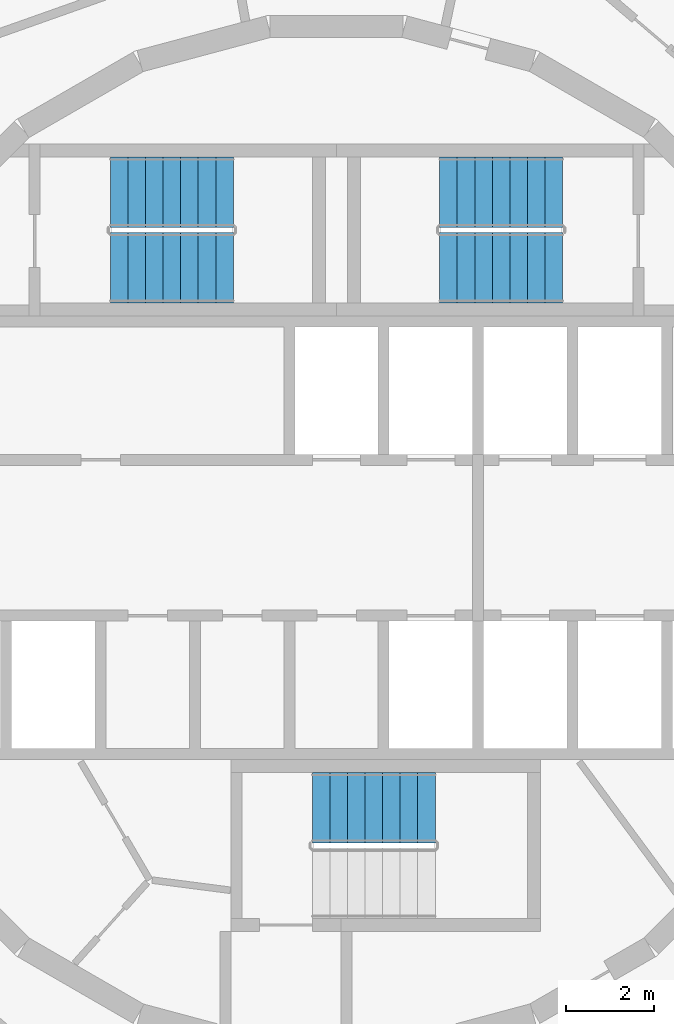
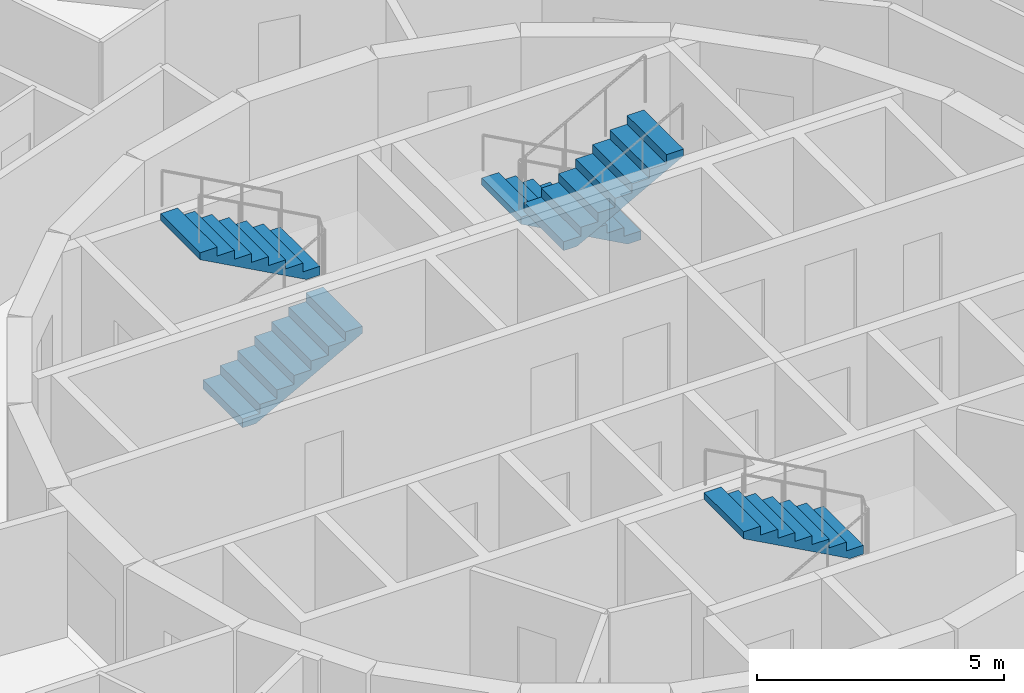
# One storey, part 16 of 17: 5 stair flights, 3 elements without a shape of their own.
"""IFC4 building model written with IfcOpenShell, lengths in metres."""

from ifc_helpers import new_model, si_unit, direction, frame, origin, place, context, subcontext, project, spatial, polyline, outline, extrude, material, type_object, element, aggregate, save


model = new_model("IFC4")

# Units and contexts
model_context = context("Model", 3, precision=1e-05, world=origin(), true_north=direction((0.0, 1.0)))
body_context = subcontext(model_context, "Body", "Model", "MODEL_VIEW")
ifc_project = project(units=[si_unit("LENGTHUNIT", "METRE"), si_unit("AREAUNIT", "SQUARE_METRE"), si_unit("VOLUMEUNIT", "CUBIC_METRE"), si_unit("PLANEANGLEUNIT", "RADIAN"), si_unit("MASSUNIT", "GRAM", prefix="KILO")], contexts=[model_context])

# Site, building, storey
site_placement = place(None, origin())
site = spatial("IfcSite", under=ifc_project, at=site_placement, CompositionType="ELEMENT")
building_placement = place(site_placement, origin())
building = spatial("IfcBuilding", under=site, at=building_placement, Name="Spindle Arch Residences", CompositionType="ELEMENT")
storey_placement = place(building_placement, frame((0.0, 0.0, 155.199951171875)))
storey = spatial("IfcBuildingStorey", under=building, at=storey_placement, Name="L38", CompositionType="ELEMENT", Elevation=155.199951171875)

# Stair, stair flights
ifc_material_1 = material(Name="Concrete C50/60", Category="concrete")
stair_type = type_object("IfcStairType", Name="Exit stair 16 risers", PredefinedType="HALF_TURN_STAIR", material=ifc_material_1)
stair_1_placement = place(storey_placement, origin())
stair_1 = element("IfcStair", 1, at=stair_1_placement, inside=storey, type_object=stair_type, Name="L38 Exit stair ST1", PredefinedType="HALF_TURN_STAIR")
ifc_material_2 = material(Name="Concrete C50/60", Category="concrete")
stair_flight_type = type_object("IfcStairFlightType", Name="Exit stair flight", PredefinedType="STRAIGHT", material=ifc_material_2)
stair_flight_1_placement = place(storey_placement, frame((5.14990234375, 7.8701171875, 0.0), z_axis=(0.0, 0.0, 1.0), x_axis=(-1.0, 0.0, 0.0)))
stair_flight_1 = element("IfcStairFlight", 2, at=stair_flight_1_placement, type_object=stair_flight_type, Name="ST1 flight 1", NumberOfRisers=8, NumberOfTreads=7, PredefinedType="STRAIGHT", RiserHeight=0.21875, TreadLength=0.4, context=body_context, shape_type="SweptSolid", body=[
    extrude(outline(polyline([(0.0, 0.0), (0.0, 0.21875), (0.39990234375, 0.21875), (0.39990234375, 0.4375), (0.800048828125, 0.4375), (0.800048828125, 0.65625), (1.199951171875, 0.65625), (1.199951171875, 0.875), (1.60009765625, 0.875), (1.60009765625, 1.09375), (2.0, 1.09375), (2.0, 1.3125), (2.39990234375, 1.3125), (2.39990234375, 1.53125), (2.800048828125, 1.53125), (2.800048828125, 1.75), (2.800048828125, 1.3603515625), (0.3125, 0.0), (0.0, 0.0)])), frame((0.0, 0.800048828125, 0.0), z_axis=(0.0, -1.0, 0.0), x_axis=(1.0, 0.0, 0.0)), (0.0, 0.0, 1.0), 1.60009765625),
])
stair_flight_2_placement = place(storey_placement, frame((2.35009765625, 6.14990234375, 1.75), z_axis=(0.0, 0.0, 1.0), x_axis=(1.0, 0.0, 0.0)))
stair_flight_2 = element("IfcStairFlight", 3, at=stair_flight_2_placement, type_object=stair_flight_type, Name="ST1 flight 2", NumberOfRisers=8, NumberOfTreads=7, PredefinedType="STRAIGHT", RiserHeight=0.21875, TreadLength=0.4, context=body_context, shape_type="SweptSolid", body=[
    extrude(outline(polyline([(0.0, 0.0), (0.0, 0.21875), (0.39990234375, 0.21875), (0.39990234375, 0.4375), (0.800048828125, 0.4375), (0.800048828125, 0.65625), (1.199951171875, 0.65625), (1.199951171875, 0.875), (1.60009765625, 0.875), (1.60009765625, 1.09375), (2.0, 1.09375), (2.0, 1.3125), (2.39990234375, 1.3125), (2.39990234375, 1.53125), (2.800048828125, 1.53125), (2.800048828125, 1.75), (2.800048828125, 1.3603515625), (0.3125, 0.0), (0.0, 0.0)])), frame((0.0, 0.800048828125, 0.0), z_axis=(0.0, -1.0, 0.0), x_axis=(1.0, 0.0, 0.0)), (0.0, 0.0, 1.0), 1.60009765625),
])
aggregate(stair_1, [stair_flight_1, stair_flight_2])

stair_2_placement = place(storey_placement, origin())
stair_2 = element("IfcStair", 4, at=stair_2_placement, inside=storey, type_object=stair_type, Name="L38 Exit stair ST2", PredefinedType="HALF_TURN_STAIR")
stair_flight_3_placement = place(storey_placement, frame((-5.14990234375, 6.14990234375, 0.0), z_axis=(0.0, 0.0, 1.0), x_axis=(1.0, 0.0, 0.0)))
stair_flight_3 = element("IfcStairFlight", 5, at=stair_flight_3_placement, type_object=stair_flight_type, Name="ST2 flight 1", NumberOfRisers=8, NumberOfTreads=7, PredefinedType="STRAIGHT", RiserHeight=0.21875, TreadLength=0.4, context=body_context, shape_type="SweptSolid", body=[
    extrude(outline(polyline([(0.0, 0.0), (0.0, 0.21875), (0.39990234375, 0.21875), (0.39990234375, 0.4375), (0.800048828125, 0.4375), (0.800048828125, 0.65625), (1.199951171875, 0.65625), (1.199951171875, 0.875), (1.60009765625, 0.875), (1.60009765625, 1.09375), (2.0, 1.09375), (2.0, 1.3125), (2.39990234375, 1.3125), (2.39990234375, 1.53125), (2.800048828125, 1.53125), (2.800048828125, 1.75), (2.800048828125, 1.3603515625), (0.3125, 0.0), (0.0, 0.0)])), frame((0.0, 0.800048828125, 0.0), z_axis=(0.0, -1.0, 0.0), x_axis=(1.0, 0.0, 0.0)), (0.0, 0.0, 1.0), 1.60009765625),
])
stair_flight_4_placement = place(storey_placement, frame((-2.35009765625, 7.8701171875, 1.75), z_axis=(0.0, 0.0, 1.0), x_axis=(-1.0, 0.0, 0.0)))
stair_flight_4 = element("IfcStairFlight", 6, at=stair_flight_4_placement, type_object=stair_flight_type, Name="ST2 flight 2", NumberOfRisers=8, NumberOfTreads=7, PredefinedType="STRAIGHT", RiserHeight=0.21875, TreadLength=0.4, context=body_context, shape_type="SweptSolid", body=[
    extrude(outline(polyline([(0.0, 0.0), (0.0, 0.21875), (0.39990234375, 0.21875), (0.39990234375, 0.4375), (0.800048828125, 0.4375), (0.800048828125, 0.65625), (1.199951171875, 0.65625), (1.199951171875, 0.875), (1.60009765625, 0.875), (1.60009765625, 1.09375), (2.0, 1.09375), (2.0, 1.3125), (2.39990234375, 1.3125), (2.39990234375, 1.53125), (2.800048828125, 1.53125), (2.800048828125, 1.75), (2.800048828125, 1.3603515625), (0.3125, 0.0), (0.0, 0.0)])), frame((0.0, 0.800048828125, 0.0), z_axis=(0.0, -1.0, 0.0), x_axis=(1.0, 0.0, 0.0)), (0.0, 0.0, 1.0), 1.60009765625),
])
aggregate(stair_2, [stair_flight_3, stair_flight_4])

# Stair, stair flight
stair_3_placement = place(storey_placement, origin())
stair_3 = element("IfcStair", 7, at=stair_3_placement, inside=storey, type_object=stair_type, Name="L38 Exit stair ST3", PredefinedType="HALF_TURN_STAIR")
stair_flight_5_placement = place(storey_placement, frame((2.25, -6.14990234375, 1.75), z_axis=(0.0, 0.0, 1.0), x_axis=(-1.0, 0.0, 0.0)))
stair_flight_5 = element("IfcStairFlight", 8, at=stair_flight_5_placement, type_object=stair_flight_type, Name="ST3 flight 2", NumberOfRisers=8, NumberOfTreads=7, PredefinedType="STRAIGHT", RiserHeight=0.21875, TreadLength=0.4, context=body_context, shape_type="SweptSolid", body=[
    extrude(outline(polyline([(0.0, 0.0), (0.0, 0.21875), (0.39990234375, 0.21875), (0.39990234375, 0.4375), (0.800048828125, 0.4375), (0.800048828125, 0.65625), (1.199951171875, 0.65625), (1.199951171875, 0.875), (1.60009765625, 0.875), (1.60009765625, 1.09375), (2.0, 1.09375), (2.0, 1.3125), (2.39990234375, 1.3125), (2.39990234375, 1.53125), (2.800048828125, 1.53125), (2.800048828125, 1.75), (2.800048828125, 1.3603515625), (0.3125, 0.0), (0.0, 0.0)])), frame((0.0, 0.800048828125, 0.0), z_axis=(0.0, -1.0, 0.0), x_axis=(1.0, 0.0, 0.0)), (0.0, 0.0, 1.0), 1.60009765625),
])
aggregate(stair_3, [stair_flight_5])

save(model, "model.ifc")
